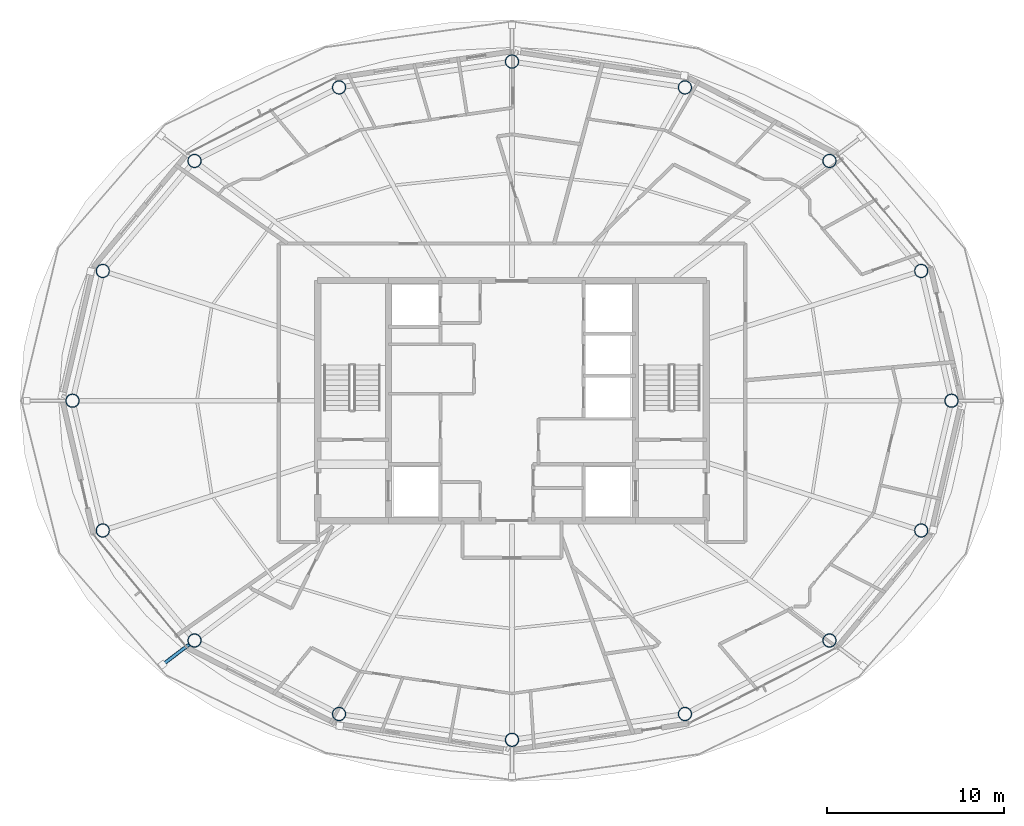
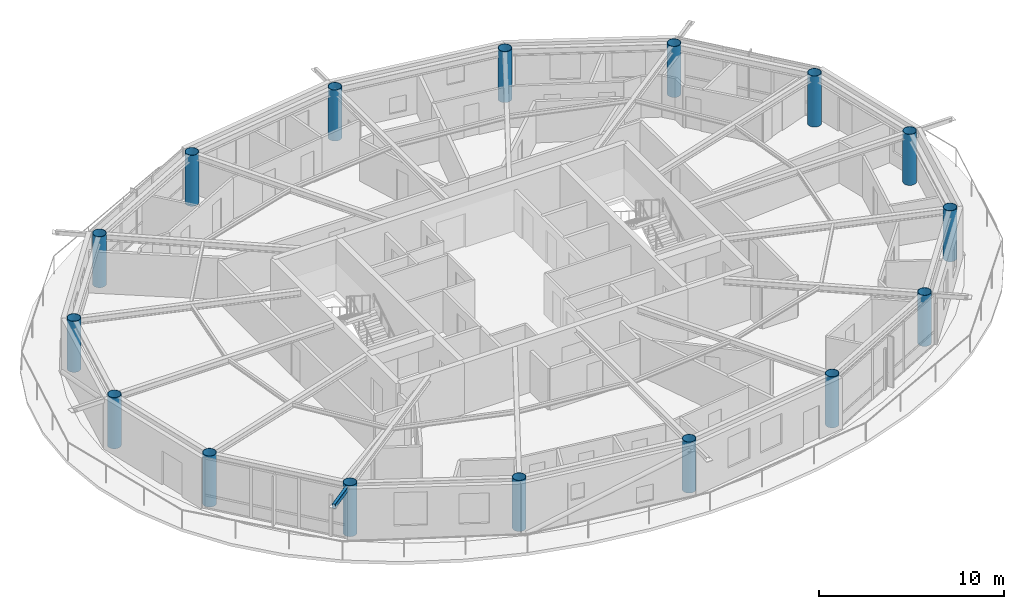
# One storey, part 1 of 23: 16 columns, 1 member.
"""IFC4 building model written with IfcOpenShell, lengths in metres."""

from ifc_helpers import new_model, si_unit, direction, frame, origin, origin_2d, place, context, subcontext, project, spatial, hollow_rectangle, hollow_circle, extrude, material, material_profile, profile_set, type_object, element, save


model = new_model("IFC4")

# Units and contexts
model_context = context("Model", 3, precision=1e-05, world=origin(), true_north=direction((0.0, 1.0)))
body_context = subcontext(model_context, "Body", "Model", "MODEL_VIEW")
ifc_project = project(units=[si_unit("LENGTHUNIT", "METRE"), si_unit("AREAUNIT", "SQUARE_METRE"), si_unit("VOLUMEUNIT", "CUBIC_METRE"), si_unit("PLANEANGLEUNIT", "RADIAN"), si_unit("MASSUNIT", "GRAM", prefix="KILO")], contexts=[model_context])

# Site, building, storey
site_placement = place(None, origin())
site = spatial("IfcSite", under=ifc_project, at=site_placement, CompositionType="ELEMENT")
building_placement = place(site_placement, origin())
building = spatial("IfcBuilding", under=site, at=building_placement, Name="Sarneth Arch Tower", CompositionType="ELEMENT")
storey_placement = place(building_placement, frame((0.0, 0.0, 273.0)))
storey = spatial("IfcBuildingStorey", under=building, at=storey_placement, Name="L70", CompositionType="ELEMENT", Elevation=273.0)

# Columns
ifc_material_1 = material(Name="Steel S355", Category="steel")
ifc_material_profile_1 = material_profile(ifc_material_1, hollow_circle(Radius=0.381103515625, WallThickness=0.02490234375, at=origin_2d()), Name="CHS762x25")
ifc_profile_set_1 = profile_set([ifc_material_profile_1], Name="Steel S355")
column_type = type_object("IfcColumnType", Name="COL-MEGA-762", PredefinedType="COLUMN", material=ifc_profile_set_1)
for number, where, z_axis, x_axis, name in (
    (1, (72.88330078125, 42.0, 0.0), (0.0, 0.0, 1.0), (1.0, 0.0, 0.0), "L70 Perimeter mega-column M01"),
    (2, (71.1689453125, 49.347412109375, 0.0), (0.0, 0.0, 1.0), (1.0, 0.0, 0.0), "L70 Perimeter mega-column M02"),
    (3, (65.975341796875, 55.576416015625, 0.0), (0.0, 0.0, 1.0), (1.0, 0.0, 0.0), "L70 Perimeter mega-column M03"),
    (4, (57.790771484375, 59.738525390625, 0.0), (0.0, 0.0, 1.0), (1.0, 0.0, 0.0), "L70 Perimeter mega-column M04"),
    (5, (48.0, 61.199951171875, 0.0), (0.0, 0.0, 1.0), (1.0, 0.0, 0.0), "L70 Perimeter mega-column M05"),
    (6, (38.209228515625, 59.738525390625, 0.0), (0.0, 0.0, 1.0), (1.0, 0.0, 0.0), "L70 Perimeter mega-column M06"),
    (7, (30.024658203125, 55.576416015625, 0.0), (0.0, 0.0, 1.0), (1.0, 0.0, 0.0), "L70 Perimeter mega-column M07"),
    (8, (24.8310546875, 49.347412109375, 0.0), (0.0, 0.0, 1.0), (1.0, 0.0, 0.0), "L70 Perimeter mega-column M08"),
    (9, (23.11669921875, 42.0, 0.0), (0.0, 0.0, 1.0), (1.0, 0.0, 0.0), "L70 Perimeter mega-column M09"),
    (10, (24.8310546875, 34.652587890625, 0.0), (0.0, 0.0, 1.0), (1.0, 0.0, 0.0), "L70 Perimeter mega-column M10"),
    (11, (30.024658203125, 28.423583984375, 0.0), (0.0, 0.0, 1.0), (1.0, 0.0, 0.0), "L70 Perimeter mega-column M11"),
    (12, (38.209228515625, 24.261474609375, 0.0), (0.0, 0.0, 1.0), (1.0, 0.0, 0.0), "L70 Perimeter mega-column M12"),
    (13, (48.0, 22.800048828125, 0.0), (0.0, 0.0, 1.0), (1.0, 0.0, 0.0), "L70 Perimeter mega-column M13"),
    (14, (57.790771484375, 24.261474609375, 0.0), (0.0, 0.0, 1.0), (1.0, 0.0, 0.0), "L70 Perimeter mega-column M14"),
    (15, (65.975341796875, 28.423583984375, 0.0), (0.0, 0.0, 1.0), (1.0, 0.0, 0.0), "L70 Perimeter mega-column M15"),
    (16, (71.1689453125, 34.652587890625, 0.0), (0.0, 0.0, 1.0), (1.0, 0.0, 0.0), "L70 Perimeter mega-column M16"),
):
    element("IfcColumn", number, at=place(storey_placement, frame(where, z_axis=z_axis, x_axis=x_axis)), inside=storey, type_object=column_type, Name=name, PredefinedType="COLUMN", context=body_context, shape_type="SweptSolid", body=[
        extrude(hollow_circle(Radius=0.381103515625, WallThickness=0.02490234375, at=origin_2d()), origin(), (0.0, 0.0, 1.0), 3.3701171875),
    ])

# Member
ifc_material_2 = material(Name="Steel S355", Category="steel")
ifc_material_profile_2 = material_profile(ifc_material_2, hollow_rectangle(XDim=0.199951171875, YDim=0.300048828125, WallThickness=0.012451171875, InnerFilletRadius=0.018798828125, OuterFilletRadius=0.03125, at=origin_2d()), Name="RHS300x200x12.5")
ifc_profile_set_2 = profile_set([ifc_material_profile_2], Name="Steel S355")
member_type = type_object("IfcMemberType", Name="MEM-CANT-STRUT", PredefinedType="STRUT", material=ifc_profile_set_2)
member_placement = place(storey_placement, frame((29.720703125, 28.19384765625, 3.2099609375), z_axis=(-0.797961358426, -0.602708611569, 0.0), x_axis=(0.602708611569, -0.797961358426, 0.0)))
element("IfcMember", 17, at=member_placement, inside=storey, type_object=member_type, Name="L70 Balcony cantilever bracket 11", PredefinedType="STRUT", context=body_context, shape_type="SweptSolid", body=[
    extrude(hollow_rectangle(XDim=0.199951171875, YDim=0.300048828125, WallThickness=0.012451171875, InnerFilletRadius=0.018798828125, OuterFilletRadius=0.03125, at=origin_2d()), origin(), (0.0, 0.0, 1.0), 1.88671875),
])

save(model, "model.ifc")
